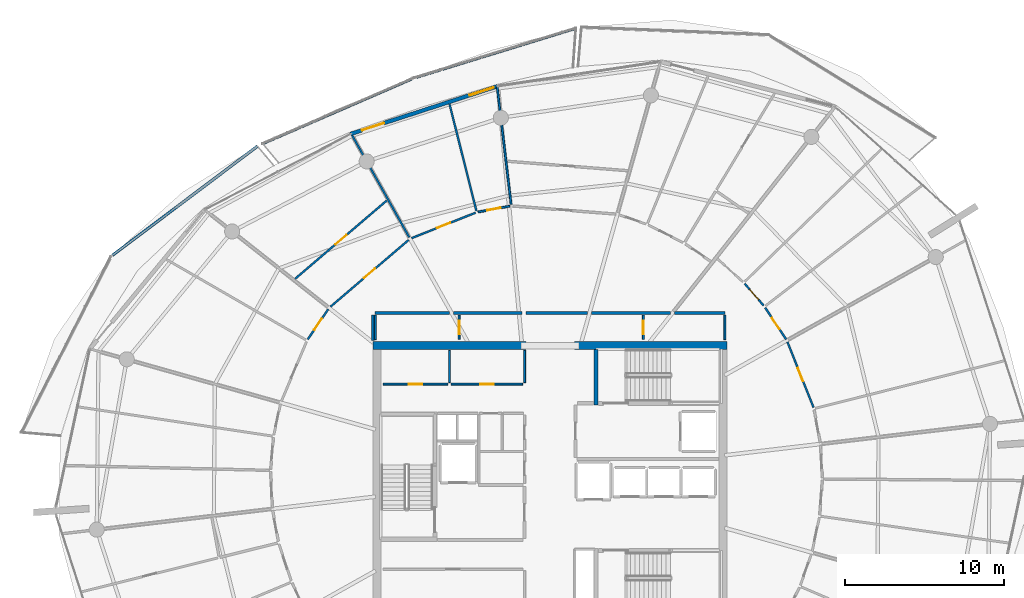
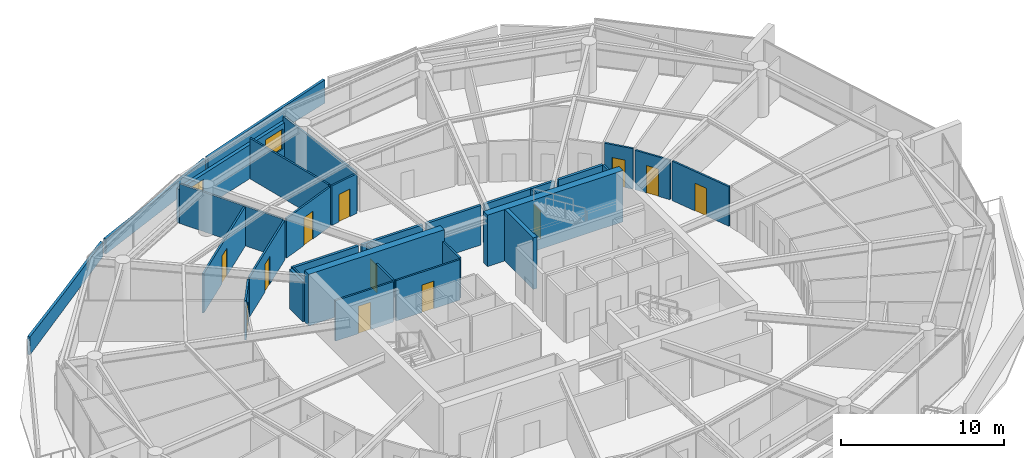
# One storey, part 21 of 29: 32 walls, 13 doors, 1 window, 14 openings.
"""IFC4 building model written with IfcOpenShell, lengths in metres."""

from ifc_helpers import new_model, si_unit, direction, frame, frame_2d, origin, place, context, subcontext, project, spatial, polyline, rectangle, outline, extrude, material, layer, layer_set, type_object, element, fill, save


model = new_model("IFC4")

# Units and contexts
model_context = context("Model", 3, precision=1e-05, world=origin(), true_north=direction((0.0, 1.0)))
body_context = subcontext(model_context, "Body", "Model", "MODEL_VIEW")
ifc_project = project(units=[si_unit("LENGTHUNIT", "METRE"), si_unit("AREAUNIT", "SQUARE_METRE"), si_unit("VOLUMEUNIT", "CUBIC_METRE"), si_unit("PLANEANGLEUNIT", "RADIAN"), si_unit("MASSUNIT", "GRAM", prefix="KILO")], contexts=[model_context])

# Site, building, storey
site_placement = place(None, origin())
site = spatial("IfcSite", under=ifc_project, at=site_placement, CompositionType="ELEMENT")
building_placement = place(site_placement, origin())
building = spatial("IfcBuilding", under=site, at=building_placement, Name="Kazma Halo Residences", CompositionType="ELEMENT")
storey_placement = place(building_placement, frame((0.0, 0.0, 286.75)))
storey = spatial("IfcBuildingStorey", under=building, at=storey_placement, Name="L72", CompositionType="ELEMENT", Elevation=286.75)

# Walls
ifc_material_1 = material(Name="White Concrete C50/60 Balustrade", Category="concrete")
ifc_layer_1 = layer(ifc_material_1, 0.179931640625)
ifc_layer_set_1 = layer_set([ifc_layer_1], Name="White Concrete C50/60 Balustrade")
wall_type_1 = type_object("IfcWallType", Name="WL-BAL-WAVE-180", PredefinedType="PARAPET", material=ifc_layer_set_1)
wall_1_placement = place(storey_placement, frame((50.046630859375, 70.205810546875, 0.0), z_axis=(0.0, 0.0, 1.0), x_axis=(-0.955884083791, -0.293744137565, 0.0)))
element("IfcWall", 1, at=wall_1_placement, inside=storey, type_object=wall_type_1, Name="L72 white wave balustrade wall NNW.1", PredefinedType="PARAPET", context=body_context, shape_type="SweptSolid", body=[
    extrude(outline(polyline([(0.0, 0.0), (10.543701171875, 0.0), (10.5439453125, 1.347900390625), (5.27197265625, 1.56201171875), (0.0, 1.7470703125), (0.0, 0.0)])), frame((0.0, 0.08984375, 0.0), z_axis=(0.0, -1.0, 0.0), x_axis=(1.0, 0.0, 0.0)), (0.0, 0.0, 1.0), 0.179931640625),
])
wall_2_placement = place(storey_placement, frame((39.7431640625, 67.025634765625, 0.0), z_axis=(0.0, 0.0, 1.0), x_axis=(-0.917372888721, -0.398028872119, 0.0)))
element("IfcWall", 2, at=wall_2_placement, inside=storey, type_object=wall_type_1, Name="L72 white wave balustrade wall NNW.2", PredefinedType="PARAPET", context=body_context, shape_type="SweptSolid", body=[
    extrude(outline(polyline([(0.0, 0.0), (10.257568359375, 0.0), (10.25732421875, 1.1201171875), (5.128662109375, 1.181884765625), (0.0, 1.347900390625), (0.0, 0.0)])), frame((0.0, 0.08984375, 0.0), z_axis=(0.0, -1.0, 0.0), x_axis=(1.0, 0.0, 0.0)), (0.0, 0.0, 1.0), 0.179931640625),
])
wall_3_placement = place(storey_placement, frame((30.027587890625, 62.784423828125, 0.0), z_axis=(0.0, 0.0, 1.0), x_axis=(-0.799146815098, -0.601135898046, 0.0)))
element("IfcWall", 3, at=wall_3_placement, inside=storey, type_object=wall_type_1, Name="L72 white wave balustrade wall NW.1", PredefinedType="PARAPET", context=body_context, shape_type="SweptSolid", body=[
    extrude(outline(polyline([(0.0, 0.0), (11.4111328125, 0.0), (11.4111328125, 1.347900390625), (5.70556640625, 1.181884765625), (0.0, 1.1201171875), (0.0, 0.0)])), frame((0.0, 0.08984375, 0.0), z_axis=(0.0, -1.0, 0.0), x_axis=(1.0, 0.0, 0.0)), (0.0, 0.0, 1.0), 0.179931640625),
])
ifc_material_2 = material(Name="Concrete C60/75", Category="concrete")
ifc_layer_2 = layer(ifc_material_2, 0.5)
ifc_layer_set_2 = layer_set([ifc_layer_2], Name="Concrete C60/75")
wall_type_2 = type_object("IfcWallType", Name="WL-CORE-500", PredefinedType="SHEAR", material=ifc_layer_set_2)
wall_4_placement = place(storey_placement, frame((37.300048828125, 50.25, 0.0), z_axis=(0.0, 0.0, 1.0), x_axis=(1.0, 0.0, 0.0)))
element("IfcWall", 4, at=wall_4_placement, inside=storey, type_object=wall_type_2, Name="L72 central core shear wall NW", PredefinedType="SHEAR", context=body_context, shape_type="SweptSolid", body=[
    extrude(rectangle(XDim=9.599853515625, YDim=0.5, at=frame_2d((4.7998046875, 0.0))), origin(), (0.0, 0.0, 1.0), 3.85009765625),
])
wall_5_placement = place(storey_placement, frame((49.949951171875, 50.25, 0.0), z_axis=(0.0, 0.0, 1.0), x_axis=(1.0, 0.0, 0.0)))
element("IfcWall", 5, at=wall_5_placement, inside=storey, type_object=wall_type_2, Name="L72 central core shear wall NE", PredefinedType="SHEAR", context=body_context, shape_type="SweptSolid", body=[
    extrude(rectangle(XDim=9.60009765625, YDim=0.5, at=frame_2d((4.800048828125, 0.0))), origin(), (0.0, 0.0, 1.0), 3.85009765625),
])
ifc_layer_3 = layer(ifc_material_2, 0.280029296875)
ifc_layer_set_3 = layer_set([ifc_layer_3], Name="Concrete C60/75")
wall_type_3 = type_object("IfcWallType", Name="WL-CORE-ST-280", PredefinedType="SHEAR", material=ifc_layer_set_3)
wall_6_placement = place(storey_placement, frame((51.31005859375, 46.5, 0.0), z_axis=(0.0, 0.0, 1.0), x_axis=(0.0, 1.0, 0.0)))
element("IfcWall", 6, at=wall_6_placement, inside=storey, type_object=wall_type_3, Name="L72 stairwell bearing wall ST02-W", PredefinedType="SHEAR", context=body_context, shape_type="SweptSolid", body=[
    extrude(rectangle(XDim=3.5, YDim=0.280029296875, at=frame_2d((1.75, 0.0))), origin(), (0.0, 0.0, 1.0), 3.85009765625),
])
ifc_material_3 = material(Name="Acoustic Twin-Stud Gypsum")
ifc_layer_4 = layer(ifc_material_3, 0.179931640625)
ifc_layer_set_4 = layer_set([ifc_layer_4], Name="Acoustic Twin-Stud Gypsum")
wall_type_4 = type_object("IfcWallType", Name="WL-DEM-180", PredefinedType="PARTITIONING", material=ifc_layer_set_4)
wall_7_placement = place(storey_placement, frame((56.0, 52.300048828125, 0.0), z_axis=(0.0, 0.0, 1.0), x_axis=(-1.0, 0.0, 0.0)))
element("IfcWall", 7, at=wall_7_placement, inside=storey, type_object=wall_type_4, Name="L72 Apartment 1 inner wall 1", PredefinedType="PARTITIONING", context=body_context, shape_type="SweptSolid", body=[
    extrude(rectangle(XDim=4.97509765625, YDim=0.179931640625, at=frame_2d((2.487548828125, 0.0))), origin(), (0.0, 0.0, 1.0), 2.95703125),
])
wall_8_placement = place(storey_placement, frame((50.784912109375, 52.300048828125, 0.0), z_axis=(0.0, 0.0, 1.0), x_axis=(-1.0, 0.0, 0.0)))
element("IfcWall", 8, at=wall_8_placement, inside=storey, type_object=wall_type_4, Name="L72 Apartment 1 inner wall 2", PredefinedType="PARTITIONING", context=body_context, shape_type="SweptSolid", body=[
    extrude(rectangle(XDim=3.884033203125, YDim=0.179931640625, at=frame_2d((1.94189453125, 0.0))), origin(), (0.0, 0.0, 1.0), 2.95703125),
])
wall_9_placement = place(storey_placement, frame((46.660888671875, 52.300048828125, 0.0), z_axis=(0.0, 0.0, 1.0), x_axis=(-1.0, 0.0, 0.0)))
element("IfcWall", 9, at=wall_9_placement, inside=storey, type_object=wall_type_4, Name="L72 Apartment 1 inner wall 3", PredefinedType="PARTITIONING", context=body_context, shape_type="SweptSolid", body=[
    extrude(rectangle(XDim=4.30908203125, YDim=0.179931640625, at=frame_2d((2.154541015625, 0.0))), origin(), (0.0, 0.0, 1.0), 2.95703125),
])
wall_10_placement = place(storey_placement, frame((42.11181640625, 52.300048828125, 0.0), z_axis=(0.0, 0.0, 1.0), x_axis=(-1.0, 0.0, 0.0)))
element("IfcWall", 10, at=wall_10_placement, inside=storey, type_object=wall_type_4, Name="L72 Apartment 1 inner wall 4", PredefinedType="PARTITIONING", context=body_context, shape_type="SweptSolid", body=[
    extrude(rectangle(XDim=4.69189453125, YDim=0.179931640625, at=frame_2d((2.345947265625, 0.0))), origin(), (0.0, 0.0, 1.0), 2.95703125),
])
wall_11_placement = place(storey_placement, frame((37.300048828125, 52.179931640625, 0.0), z_axis=(0.0, 0.0, 1.0), x_axis=(0.0, -1.0, 0.0)))
element("IfcWall", 11, at=wall_11_placement, inside=storey, type_object=wall_type_4, Name="L72 Apartment 1 inner wall 4", PredefinedType="PARTITIONING", context=body_context, shape_type="SweptSolid", body=[
    extrude(rectangle(XDim=1.624755859375, YDim=0.179931640625, at=frame_2d((0.8125, 0.0))), origin(), (0.0, 0.0, 1.0), 2.95703125),
])
wall_12_placement = place(storey_placement, frame((59.429931640625, 52.300048828125, 0.0), z_axis=(0.0, 0.0, 1.0), x_axis=(-1.0, 0.0, 0.0)))
element("IfcWall", 12, at=wall_12_placement, inside=storey, type_object=wall_type_4, Name="L72 Apartment 2 inner wall 0", PredefinedType="PARTITIONING", context=body_context, shape_type="SweptSolid", body=[
    extrude(rectangle(XDim=3.18994140625, YDim=0.179931640625, at=frame_2d((1.594970703125, 0.0))), origin(), (0.0, 0.0, 1.0), 2.95703125),
])

# Wall, openings, door, window
ifc_material_4 = material(Name="Insulated Pale-Metal Composite Wall")
ifc_layer_5 = layer(ifc_material_4, 0.239990234375)
ifc_layer_set_5 = layer_set([ifc_layer_5], Name="Insulated Pale-Metal Composite Wall")
wall_type_5 = type_object("IfcWallType", Name="WL-EXT-HOST-240", PredefinedType="SOLIDWALL", material=ifc_layer_set_5)
wall_13_placement = place(storey_placement, frame((45.14208984375, 66.563720703125, 0.0), z_axis=(0.0, 0.0, 1.0), x_axis=(-0.951055974609, -0.309018661507, 0.0)))
wall_13 = element("IfcWall", 13, at=wall_13_placement, inside=storey, type_object=wall_type_5, Name="L72 exterior terrace-access wall B04", PredefinedType="SOLIDWALL", context=body_context, shape_type="SweptSolid", body=[
    extrude(rectangle(XDim=9.745361328125, YDim=0.239990234375, at=frame_2d((4.87255859375, 0.0))), origin(), (0.0, 0.0, 1.0), 2.5400390625),
])
opening_1_placement = place(wall_13_placement, frame((7.525390625, 0.0, 0.0)))
opening_1 = element("IfcOpeningElement", 14, at=opening_1_placement, cuts=wall_13, Name="Opening DTR-1600", PredefinedType="OPENING", context=body_context, shape_type="SweptSolid", body=[
    extrude(rectangle(XDim=1.449951171875, YDim=2.14990234375, at=frame_2d((0.72509765625, 1.074951171875))), frame((0.0, 0.1298828125, 0.0), z_axis=(0.0, -1.0, 0.0), x_axis=(1.0, 0.0, 0.0)), (0.0, 0.0, 1.0), 0.260009765625),
])
opening_2_placement = place(wall_13_placement, frame((0.280029296875, 0.0, 0.64990234375)))
opening_2 = element("IfcOpeningElement", 15, at=opening_2_placement, cuts=wall_13, Name="Opening W-1800", PredefinedType="OPENING", context=body_context, shape_type="SweptSolid", body=[
    extrude(rectangle(XDim=1.60009765625, YDim=1.5, at=frame_2d((0.800048828125, 0.75))), frame((0.0, 0.1298828125, 0.0), z_axis=(0.0, -1.0, 0.0), x_axis=(1.0, 0.0, 0.0)), (0.0, 0.0, 1.0), 0.260009765625),
])
ifc_material_5 = material(Name="Aluminium AW-6063 T6 Double-Glazed Terrace Door", Category="aluminium")
door_type_1 = type_object("IfcDoorType", Name="DR-EXT-TERR-1600", OperationType="NOTDEFINED", PredefinedType="DOOR", material=ifc_material_5)
door_1_placement = place(opening_1_placement, origin())
door_1 = element("IfcDoor", 16, at=door_1_placement, inside=storey, type_object=door_type_1, Name="L72 B04 balcony terrace door", OperationType="DOUBLE_DOOR_SLIDING", OverallHeight=2.14990234375, OverallWidth=1.449951171875, PredefinedType="DOOR", context=body_context, shape_type="SweptSolid", body=[
    extrude(rectangle(XDim=1.449951171875, YDim=2.14990234375, at=frame_2d((0.72509765625, 1.074951171875))), frame((0.0, 0.02490234375, 0.0), z_axis=(0.0, -1.0, 0.0), x_axis=(1.0, 0.0, 0.0)), (0.0, 0.0, 1.0), 0.050048828125),
])
fill(opening_1, door_1)
ifc_material_6 = material(Name="Clear Triple-Silver Low-E Glass in Aluminium AW-6063 T6 Frame", Category="aluminium")
window_type = type_object("IfcWindowType", Name="WIN-RES-1800", PartitioningType="DOUBLE_PANEL_VERTICAL", PredefinedType="WINDOW", material=ifc_material_6)
window_placement = place(opening_2_placement, origin())
window = element("IfcWindow", 17, at=window_placement, inside=storey, type_object=window_type, Name="L72 B04 apartment window", OverallHeight=1.5, OverallWidth=1.60009765625, PartitioningType="SINGLE_PANEL", PredefinedType="WINDOW", context=body_context, shape_type="SweptSolid", body=[
    extrude(rectangle(XDim=1.60009765625, YDim=1.5, at=frame_2d((0.800048828125, 0.75))), frame((0.0, 0.030029296875, 0.0), z_axis=(0.0, -1.0, 0.0), x_axis=(1.0, 0.0, 0.0)), (0.0, 0.0, 1.0), 0.06005859375),
])
fill(opening_2, window)

# Walls
ifc_material_7 = material(Name="Gypsum Plasterboard Partition")
ifc_layer_6 = layer(ifc_material_7, 0.125)
ifc_layer_set_6 = layer_set([ifc_layer_6], Name="Gypsum Plasterboard Partition")
wall_type_6 = type_object("IfcWallType", Name="WL-PART-125", PredefinedType="PARTITIONING", material=ifc_layer_set_6)
for number, where, z_axis, x_axis, name in (
    (18, (46.820068359375, 47.919921875, 0.0), (0.0, 0.0, 1.0), (0.0, 1.0, 0.0), "L72 reclaimed north east wall"),
    (19, (42.10009765625, 47.919921875, 0.0), (0.0, 0.0, 1.0), (0.0, 1.0, 0.0), "L72 reclaimed north divider wall"),
):
    element("IfcWall", number, at=place(storey_placement, frame(where, z_axis=z_axis, x_axis=x_axis)), inside=storey, type_object=wall_type_6, Name=name, PredefinedType="PARTITIONING", context=body_context, shape_type="SweptSolid", body=[
        extrude(rectangle(XDim=2.030029296875, YDim=0.125, at=frame_2d((1.01513671875, 0.0))), origin(), (0.0, 0.0, 1.0), 3.030029296875),
    ])

# Wall, opening, door
wall_14_placement = place(storey_placement, frame((37.919921875, 47.820068359375, 0.0), z_axis=(0.0, 0.0, 1.0), x_axis=(1.0, 0.0, 0.0)))
wall_14 = element("IfcWall", 20, at=wall_14_placement, inside=storey, type_object=wall_type_6, Name="L72 reclaimed north W front wall", PredefinedType="PARTITIONING", context=body_context, shape_type="SweptSolid", body=[
    extrude(rectangle(XDim=4.080078125, YDim=0.125, at=frame_2d((2.0400390625, 0.0))), origin(), (0.0, 0.0, 1.0), 3.030029296875),
])
opening_3_placement = place(wall_14_placement, frame((1.614990234375, 0.0, 0.0)))
opening_3 = element("IfcOpeningElement", 21, at=opening_3_placement, cuts=wall_14, Name="Opening DS-850", PredefinedType="OPENING", context=body_context, shape_type="SweptSolid", body=[
    extrude(rectangle(XDim=0.85009765625, YDim=2.06005859375, at=frame_2d((0.425048828125, 1.030029296875))), frame((0.0, 0.072509765625, 0.0), z_axis=(0.0, -1.0, 0.0), x_axis=(1.0, 0.0, 0.0)), (0.0, 0.0, 1.0), 0.14501953125),
])
ifc_material_8 = material(Name="Painted Steel Access Leaf", Category="steel")
door_type_2 = type_object("IfcDoorType", Name="DR-SVC-850", OperationType="NOTDEFINED", PredefinedType="DOOR", material=ifc_material_8)
door_2_placement = place(opening_3_placement, origin())
door_2 = element("IfcDoor", 22, at=door_2_placement, inside=storey, type_object=door_type_2, Name="L72 reclaimed north W door", OperationType="SINGLE_SWING_RIGHT", OverallHeight=2.06005859375, OverallWidth=0.85009765625, PredefinedType="DOOR", context=body_context, shape_type="SweptSolid", body=[
    extrude(rectangle(XDim=0.85009765625, YDim=2.06005859375, at=frame_2d((0.425048828125, 1.030029296875))), frame((0.0, 0.02490234375, 0.0), z_axis=(0.0, -1.0, 0.0), x_axis=(1.0, 0.0, 0.0)), (0.0, 0.0, 1.0), 0.050048828125),
])
fill(opening_3, door_2)

wall_15_placement = place(storey_placement, frame((42.199951171875, 47.820068359375, 0.0), z_axis=(0.0, 0.0, 1.0), x_axis=(1.0, 0.0, 0.0)))
wall_15 = element("IfcWall", 23, at=wall_15_placement, inside=storey, type_object=wall_type_6, Name="L72 reclaimed north E front wall", PredefinedType="PARTITIONING", context=body_context, shape_type="SweptSolid", body=[
    extrude(rectangle(XDim=4.5, YDim=0.125, at=frame_2d((2.25, 0.0))), origin(), (0.0, 0.0, 1.0), 3.030029296875),
])
opening_4_placement = place(wall_15_placement, frame((1.824951171875, 0.0, 0.0)))
opening_4 = element("IfcOpeningElement", 24, at=opening_4_placement, cuts=wall_15, Name="Opening DS-850", PredefinedType="OPENING", context=body_context, shape_type="SweptSolid", body=[
    extrude(rectangle(XDim=0.85009765625, YDim=2.06005859375, at=frame_2d((0.425048828125, 1.030029296875))), frame((0.0, 0.072509765625, 0.0), z_axis=(0.0, -1.0, 0.0), x_axis=(1.0, 0.0, 0.0)), (0.0, 0.0, 1.0), 0.14501953125),
])
door_3_placement = place(opening_4_placement, origin())
door_3 = element("IfcDoor", 25, at=door_3_placement, inside=storey, type_object=door_type_2, Name="L72 reclaimed north E door", OperationType="SINGLE_SWING_LEFT", OverallHeight=2.06005859375, OverallWidth=0.85009765625, PredefinedType="DOOR", context=body_context, shape_type="SweptSolid", body=[
    extrude(rectangle(XDim=0.85009765625, YDim=2.06005859375, at=frame_2d((0.425048828125, 1.030029296875))), frame((0.0, 0.02490234375, 0.0), z_axis=(0.0, -1.0, 0.0), x_axis=(1.0, 0.0, 0.0)), (0.0, 0.0, 1.0), 0.050048828125),
])
fill(opening_4, door_3)

# Walls
for number, where, z_axis, x_axis, name in (
    (26, (37.43994140625, 50.6201171875, 0.0), (0.0, 0.0, 1.0), (0.0, 1.0, 0.0), "L72 west linen end wall"),
    (27, (59.409912109375, 50.6201171875, 0.0), (0.0, 0.0, 1.0), (0.0, 1.0, 0.0), "L72 east cupboard end wall"),
):
    element("IfcWall", number, at=place(storey_placement, frame(where, z_axis=z_axis, x_axis=x_axis)), inside=storey, type_object=wall_type_6, Name=name, PredefinedType="PARTITIONING", context=body_context, shape_type="SweptSolid", body=[
        extrude(rectangle(XDim=1.539794921875, YDim=0.125, at=frame_2d((0.77001953125, 0.0))), origin(), (0.0, 0.0, 1.0), 3.030029296875),
    ])

# Wall, opening, door
wall_16_placement = place(storey_placement, frame((42.7099609375, 50.639892578125, 0.0), z_axis=(0.0, 0.0, 1.0), x_axis=(0.0, 1.0, 0.0)))
wall_16 = element("IfcWall", 28, at=wall_16_placement, inside=storey, type_object=wall_type_6, Name="L72 floor linen store door wall", PredefinedType="PARTITIONING", context=body_context, shape_type="SweptSolid", body=[
    extrude(rectangle(XDim=1.52001953125, YDim=0.125, at=frame_2d((0.760009765625, 0.0))), origin(), (0.0, 0.0, 1.0), 2.95703125),
])
opening_5_placement = place(wall_16_placement, frame((0.3349609375, 0.0, 0.0)))
opening_5 = element("IfcOpeningElement", 29, at=opening_5_placement, cuts=wall_16, Name="Opening DS-850", PredefinedType="OPENING", context=body_context, shape_type="SweptSolid", body=[
    extrude(rectangle(XDim=0.85009765625, YDim=2.06005859375, at=frame_2d((0.425048828125, 1.030029296875))), frame((0.0, 0.072509765625, 0.0), z_axis=(0.0, -1.0, 0.0), x_axis=(1.0, 0.0, 0.0)), (0.0, 0.0, 1.0), 0.14501953125),
])
door_4_placement = place(opening_5_placement, origin())
door_4 = element("IfcDoor", 30, at=door_4_placement, inside=storey, type_object=door_type_2, Name="L72 floor linen store door", OperationType="SINGLE_SWING_LEFT", OverallHeight=2.06005859375, OverallWidth=0.85009765625, PredefinedType="DOOR", context=body_context, shape_type="SweptSolid", body=[
    extrude(rectangle(XDim=0.85009765625, YDim=2.06005859375, at=frame_2d((0.425048828125, 1.030029296875))), frame((0.0, 0.02490234375, 0.0), z_axis=(0.0, -1.0, 0.0), x_axis=(1.0, 0.0, 0.0)), (0.0, 0.0, 1.0), 0.050048828125),
])
fill(opening_5, door_4)

wall_17_placement = place(storey_placement, frame((54.2900390625, 50.639892578125, 0.0), z_axis=(0.0, 0.0, 1.0), x_axis=(0.0, 1.0, 0.0)))
wall_17 = element("IfcWall", 31, at=wall_17_placement, inside=storey, type_object=wall_type_6, Name="L72 floor metering cupboard door wall", PredefinedType="PARTITIONING", context=body_context, shape_type="SweptSolid", body=[
    extrude(rectangle(XDim=1.52001953125, YDim=0.125, at=frame_2d((0.760009765625, 0.0))), origin(), (0.0, 0.0, 1.0), 3.030029296875),
])
opening_6_placement = place(wall_17_placement, frame((0.3349609375, 0.0, 0.0)))
opening_6 = element("IfcOpeningElement", 32, at=opening_6_placement, cuts=wall_17, Name="Opening DS-850", PredefinedType="OPENING", context=body_context, shape_type="SweptSolid", body=[
    extrude(rectangle(XDim=0.85009765625, YDim=2.06005859375, at=frame_2d((0.425048828125, 1.030029296875))), frame((0.0, 0.072509765625, 0.0), z_axis=(0.0, -1.0, 0.0), x_axis=(1.0, 0.0, 0.0)), (0.0, 0.0, 1.0), 0.14501953125),
])
door_5_placement = place(opening_6_placement, origin())
door_5 = element("IfcDoor", 33, at=door_5_placement, inside=storey, type_object=door_type_2, Name="L72 floor cupboard door", OperationType="SINGLE_SWING_RIGHT", OverallHeight=2.06005859375, OverallWidth=0.85009765625, PredefinedType="DOOR", context=body_context, shape_type="SweptSolid", body=[
    extrude(rectangle(XDim=0.85009765625, YDim=2.06005859375, at=frame_2d((0.425048828125, 1.030029296875))), frame((0.0, 0.02490234375, 0.0), z_axis=(0.0, -1.0, 0.0), x_axis=(1.0, 0.0, 0.0)), (0.0, 0.0, 1.0), 0.050048828125),
])
fill(opening_6, door_5)

# Walls
wall_18_placement = place(storey_placement, frame((45.97216796875, 59.13232421875, 0.0), z_axis=(0.0, 0.0, 1.0), x_axis=(-0.117532091281, 0.993069084968, 0.0)))
element("IfcWall", 34, at=wall_18_placement, inside=storey, type_object=wall_type_6, Name="L72 Apartment 1 radial partition 3", PredefinedType="PARTITIONING", context=body_context, shape_type="SweptSolid", body=[
    extrude(rectangle(XDim=7.442626953125, YDim=0.125, at=frame_2d((3.72119140625, 0.0))), origin(), (0.0, 0.0, 1.0), 2.95703125),
])
wall_19_placement = place(storey_placement, frame((43.790771484375, 58.720458984375, 0.0), z_axis=(0.0, 0.0, 1.0), x_axis=(-0.244109618429, 0.969747644591, 0.0)))
element("IfcWall", 35, at=wall_19_placement, inside=storey, type_object=wall_type_6, Name="L72 Apartment 1 mid-bay wall 3", PredefinedType="PARTITIONING", context=body_context, shape_type="SweptSolid", body=[
    extrude(rectangle(XDim=6.932861328125, YDim=0.125, at=frame_2d((3.46630859375, 0.0))), origin(), (0.0, 0.0, 1.0), 3.030029296875),
])

# Wall, opening, door
wall_20_placement = place(storey_placement, frame((45.8857421875, 59.014892578125, 0.0), z_axis=(0.0, 0.0, 1.0), x_axis=(-0.983466734408, -0.181088879597, 0.0)))
wall_20 = element("IfcWall", 36, at=wall_20_placement, inside=storey, type_object=wall_type_6, Name="L72 Apartment 1 East Wine Pantry Store hall wall", PredefinedType="PARTITIONING", context=body_context, shape_type="SweptSolid", body=[
    extrude(rectangle(XDim=2.027587890625, YDim=0.125, at=frame_2d((1.013671875, 0.0))), origin(), (0.0, 0.0, 1.0), 2.95703125),
])
opening_7_placement = place(wall_20_placement, frame((0.5888671875, 0.0, 0.0)))
opening_7 = element("IfcOpeningElement", 37, at=opening_7_placement, cuts=wall_20, Name="Opening DB-900", PredefinedType="OPENING", context=body_context, shape_type="SweptSolid", body=[
    extrude(rectangle(XDim=0.85009765625, YDim=2.06005859375, at=frame_2d((0.425048828125, 1.030029296875))), frame((0.0, 0.072509765625, 0.0), z_axis=(0.0, -1.0, 0.0), x_axis=(1.0, 0.0, 0.0)), (0.0, 0.0, 1.0), 0.14501953125),
])
ifc_material_9 = material(Name="Moisture-Sealed Timber Leaf", Category="wood")
door_type_3 = type_object("IfcDoorType", Name="DR-BTH-900", OperationType="NOTDEFINED", PredefinedType="DOOR", material=ifc_material_9)
door_6_placement = place(opening_7_placement, origin())
door_6 = element("IfcDoor", 38, at=door_6_placement, inside=storey, type_object=door_type_3, Name="L72 Apartment 1 East Wine Pantry Store door", OperationType="SINGLE_SWING_RIGHT", OverallHeight=2.06005859375, OverallWidth=0.85009765625, PredefinedType="DOOR", context=body_context, shape_type="SweptSolid", body=[
    extrude(rectangle(XDim=0.85009765625, YDim=2.06005859375, at=frame_2d((0.425048828125, 1.030029296875))), frame((0.0, 0.02490234375, 0.0), z_axis=(0.0, -1.0, 0.0), x_axis=(1.0, 0.0, 0.0)), (0.0, 0.0, 1.0), 0.050048828125),
])
fill(opening_7, door_6)

wall_21_placement = place(storey_placement, frame((43.738525390625, 58.603515625, 0.0), z_axis=(0.0, 0.0, 1.0), x_axis=(-0.929209277864, -0.369553944549, 0.0)))
wall_21 = element("IfcWall", 39, at=wall_21_placement, inside=storey, type_object=wall_type_6, Name="L72 Apartment 1 West Formal Dining Room hall wall", PredefinedType="PARTITIONING", context=body_context, shape_type="SweptSolid", body=[
    extrude(rectangle(XDim=4.3330078125, YDim=0.125, at=frame_2d((2.16650390625, 0.0))), origin(), (0.0, 0.0, 1.0), 2.95703125),
])
opening_8_placement = place(wall_21_placement, frame((1.716552734375, 0.0, 0.0)))
opening_8 = element("IfcOpeningElement", 40, at=opening_8_placement, cuts=wall_21, Name="Opening DI-950", PredefinedType="OPENING", context=body_context, shape_type="SweptSolid", body=[
    extrude(rectangle(XDim=0.89990234375, YDim=2.080078125, at=frame_2d((0.449951171875, 1.0400390625))), frame((0.0, 0.072509765625, 0.0), z_axis=(0.0, -1.0, 0.0), x_axis=(1.0, 0.0, 0.0)), (0.0, 0.0, 1.0), 0.14501953125),
])
ifc_material_10 = material(Name="Timber Veneer Flush Leaf", Category="wood")
door_type_4 = type_object("IfcDoorType", Name="DR-INT-950", OperationType="NOTDEFINED", PredefinedType="DOOR", material=ifc_material_10)
door_7_placement = place(opening_8_placement, origin())
door_7 = element("IfcDoor", 41, at=door_7_placement, inside=storey, type_object=door_type_4, Name="L72 Apartment 1 West Formal Dining Room door", OperationType="SINGLE_SWING_LEFT", OverallHeight=2.080078125, OverallWidth=0.89990234375, PredefinedType="DOOR", context=body_context, shape_type="SweptSolid", body=[
    extrude(rectangle(XDim=0.89990234375, YDim=2.080078125, at=frame_2d((0.449951171875, 1.0400390625))), frame((0.0, 0.02490234375, 0.0), z_axis=(0.0, -1.0, 0.0), x_axis=(1.0, 0.0, 0.0)), (0.0, 0.0, 1.0), 0.050048828125),
])
fill(opening_8, door_7)

# Wall
wall_22_placement = place(storey_placement, frame((39.5703125, 57.05224609375, 0.0), z_axis=(0.0, 0.0, 1.0), x_axis=(-0.488629692651, 0.872491274146, 0.0)))
element("IfcWall", 42, at=wall_22_placement, inside=storey, type_object=wall_type_6, Name="L72 Apartment 1 radial partition 4", PredefinedType="PARTITIONING", context=body_context, shape_type="SweptSolid", body=[
    extrude(rectangle(XDim=7.3427734375, YDim=0.125, at=frame_2d((3.67138671875, 0.0))), origin(), (0.0, 0.0, 1.0), 2.95703125),
])

# Wall, opening, door
wall_23_placement = place(storey_placement, frame((39.53564453125, 56.893798828125, 0.0), z_axis=(0.0, 0.0, 1.0), x_axis=(-0.760410931944, -0.649442233443, 0.0)))
wall_23 = element("IfcWall", 43, at=wall_23_placement, inside=storey, type_object=wall_type_6, Name="L72 Apartment 1 North Study hall wall", PredefinedType="PARTITIONING", context=body_context, shape_type="SweptSolid", body=[
    extrude(rectangle(XDim=6.47265625, YDim=0.125, at=frame_2d((3.236328125, 0.0))), origin(), (0.0, 0.0, 1.0), 2.95703125),
])
opening_9_placement = place(wall_23_placement, frame((2.786376953125, 0.0, 0.0)))
opening_9 = element("IfcOpeningElement", 44, at=opening_9_placement, cuts=wall_23, Name="Opening DI-950", PredefinedType="OPENING", context=body_context, shape_type="SweptSolid", body=[
    extrude(rectangle(XDim=0.89990234375, YDim=2.080078125, at=frame_2d((0.449951171875, 1.0400390625))), frame((0.0, 0.072509765625, 0.0), z_axis=(0.0, -1.0, 0.0), x_axis=(1.0, 0.0, 0.0)), (0.0, 0.0, 1.0), 0.14501953125),
])
door_8_placement = place(opening_9_placement, origin())
door_8 = element("IfcDoor", 45, at=door_8_placement, inside=storey, type_object=door_type_4, Name="L72 Apartment 1 North Study door", OperationType="SINGLE_SWING_LEFT", OverallHeight=2.080078125, OverallWidth=0.89990234375, PredefinedType="DOOR", context=body_context, shape_type="SweptSolid", body=[
    extrude(rectangle(XDim=0.89990234375, YDim=2.080078125, at=frame_2d((0.449951171875, 1.0400390625))), frame((0.0, 0.02490234375, 0.0), z_axis=(0.0, -1.0, 0.0), x_axis=(1.0, 0.0, 0.0)), (0.0, 0.0, 1.0), 0.050048828125),
])
fill(opening_9, door_8)

wall_24_placement = place(storey_placement, frame((38.1513671875, 59.365478515625, 0.0), z_axis=(0.0, 0.0, 1.0), x_axis=(-0.760419750343, -0.649431908123, 0.0)))
wall_24 = element("IfcWall", 46, at=wall_24_placement, inside=storey, type_object=wall_type_6, Name="L72 Apartment 1 South Master Bedroom divider wall", PredefinedType="PARTITIONING", context=body_context, shape_type="SweptSolid", body=[
    extrude(rectangle(XDim=7.577880859375, YDim=0.125, at=frame_2d((3.7890625, 0.0))), origin(), (0.0, 0.0, 1.0), 2.95703125),
])
opening_10_placement = place(wall_24_placement, frame((3.3388671875, 0.0, 0.0)))
opening_10 = element("IfcOpeningElement", 47, at=opening_10_placement, cuts=wall_24, Name="Opening DI-950", PredefinedType="OPENING", context=body_context, shape_type="SweptSolid", body=[
    extrude(rectangle(XDim=0.89990234375, YDim=2.080078125, at=frame_2d((0.449951171875, 1.0400390625))), frame((0.0, 0.072509765625, 0.0), z_axis=(0.0, -1.0, 0.0), x_axis=(1.0, 0.0, 0.0)), (0.0, 0.0, 1.0), 0.14501953125),
])
door_9_placement = place(opening_10_placement, origin())
door_9 = element("IfcDoor", 48, at=door_9_placement, inside=storey, type_object=door_type_4, Name="L72 Apartment 1 South Master Bedroom door", OperationType="SINGLE_SWING_RIGHT", OverallHeight=2.080078125, OverallWidth=0.89990234375, PredefinedType="DOOR", context=body_context, shape_type="SweptSolid", body=[
    extrude(rectangle(XDim=0.89990234375, YDim=2.080078125, at=frame_2d((0.449951171875, 1.0400390625))), frame((0.0, 0.02490234375, 0.0), z_axis=(0.0, -1.0, 0.0), x_axis=(1.0, 0.0, 0.0)), (0.0, 0.0, 1.0), 0.050048828125),
])
fill(opening_10, door_9)

wall_25_placement = place(storey_placement, frame((34.47412109375, 52.535888671875, 0.0), z_axis=(0.0, 0.0, 1.0), x_axis=(-0.560794078194, -0.827955313929, 0.0)))
wall_25 = element("IfcWall", 49, at=wall_25_placement, inside=storey, type_object=wall_type_6, Name="L72 Apartment 1 Inner Wine Pantry Store hall wall", PredefinedType="PARTITIONING", context=body_context, shape_type="SweptSolid", body=[
    extrude(rectangle(XDim=2.29638671875, YDim=0.125, at=frame_2d((1.148193359375, 0.0))), origin(), (0.0, 0.0, 1.0), 2.95703125),
])
opening_11_placement = place(wall_25_placement, frame((0.723388671875, 0.0, 0.0)))
opening_11 = element("IfcOpeningElement", 50, at=opening_11_placement, cuts=wall_25, Name="Opening DB-900", PredefinedType="OPENING", context=body_context, shape_type="SweptSolid", body=[
    extrude(rectangle(XDim=0.85009765625, YDim=2.06005859375, at=frame_2d((0.425048828125, 1.030029296875))), frame((0.0, 0.072509765625, 0.0), z_axis=(0.0, -1.0, 0.0), x_axis=(1.0, 0.0, 0.0)), (0.0, 0.0, 1.0), 0.14501953125),
])
door_10_placement = place(opening_11_placement, origin())
door_10 = element("IfcDoor", 51, at=door_10_placement, inside=storey, type_object=door_type_3, Name="L72 Apartment 1 Inner Wine Pantry Store door", OperationType="SINGLE_SWING_RIGHT", OverallHeight=2.06005859375, OverallWidth=0.85009765625, PredefinedType="DOOR", context=body_context, shape_type="SweptSolid", body=[
    extrude(rectangle(XDim=0.85009765625, YDim=2.06005859375, at=frame_2d((0.425048828125, 1.030029296875))), frame((0.0, 0.02490234375, 0.0), z_axis=(0.0, -1.0, 0.0), x_axis=(1.0, 0.0, 0.0)), (0.0, 0.0, 1.0), 0.050048828125),
])
fill(opening_11, door_10)

wall_26_placement = place(storey_placement, frame((64.985595703125, 46.357666015625, 0.0), z_axis=(0.0, 0.0, 1.0), x_axis=(-0.369596956752, 0.929192170414, 0.0)))
wall_26 = element("IfcWall", 52, at=wall_26_placement, inside=storey, type_object=wall_type_6, Name="L72 Apartment 2 East Formal Dining Room hall wall", PredefinedType="PARTITIONING", context=body_context, shape_type="SweptSolid", body=[
    extrude(rectangle(XDim=4.43701171875, YDim=0.125, at=frame_2d((2.218505859375, 0.0))), origin(), (0.0, 0.0, 1.0), 2.95703125),
])
opening_12_placement = place(wall_26_placement, frame((1.768310546875, 0.0, 0.0)))
opening_12 = element("IfcOpeningElement", 53, at=opening_12_placement, cuts=wall_26, Name="Opening DI-950", PredefinedType="OPENING", context=body_context, shape_type="SweptSolid", body=[
    extrude(rectangle(XDim=0.89990234375, YDim=2.080078125, at=frame_2d((0.449951171875, 1.0400390625))), frame((0.0, 0.072509765625, 0.0), z_axis=(0.0, -1.0, 0.0), x_axis=(1.0, 0.0, 0.0)), (0.0, 0.0, 1.0), 0.14501953125),
])
door_11_placement = place(opening_12_placement, origin())
door_11 = element("IfcDoor", 54, at=door_11_placement, inside=storey, type_object=door_type_4, Name="L72 Apartment 2 East Formal Dining Room door", OperationType="SINGLE_SWING_LEFT", OverallHeight=2.080078125, OverallWidth=0.89990234375, PredefinedType="DOOR", context=body_context, shape_type="SweptSolid", body=[
    extrude(rectangle(XDim=0.89990234375, YDim=2.080078125, at=frame_2d((0.449951171875, 1.0400390625))), frame((0.0, 0.02490234375, 0.0), z_axis=(0.0, -1.0, 0.0), x_axis=(1.0, 0.0, 0.0)), (0.0, 0.0, 1.0), 0.050048828125),
])
fill(opening_12, door_11)

wall_27_placement = place(storey_placement, frame((63.2646484375, 50.64013671875, 0.0), z_axis=(0.0, 0.0, 1.0), x_axis=(-0.550634170063, 0.834746674602, 0.0)))
wall_27 = element("IfcWall", 55, at=wall_27_placement, inside=storey, type_object=wall_type_6, Name="L72 Apartment 2 South Master Bedroom hall wall", PredefinedType="PARTITIONING", context=body_context, shape_type="SweptSolid", body=[
    extrude(rectangle(XDim=2.38720703125, YDim=0.125, at=frame_2d((1.193603515625, 0.0))), origin(), (0.0, 0.0, 1.0), 2.95703125),
])
opening_13_placement = place(wall_27_placement, frame((0.7685546875, 0.0, 0.0)))
opening_13 = element("IfcOpeningElement", 56, at=opening_13_placement, cuts=wall_27, Name="Opening DB-900", PredefinedType="OPENING", context=body_context, shape_type="SweptSolid", body=[
    extrude(rectangle(XDim=0.85009765625, YDim=2.06005859375, at=frame_2d((0.425048828125, 1.030029296875))), frame((0.0, 0.072509765625, 0.0), z_axis=(0.0, -1.0, 0.0), x_axis=(1.0, 0.0, 0.0)), (0.0, 0.0, 1.0), 0.14501953125),
])
door_12_placement = place(opening_13_placement, origin())
door_12 = element("IfcDoor", 57, at=door_12_placement, inside=storey, type_object=door_type_3, Name="L72 Apartment 2 South Master Bedroom door", OperationType="SINGLE_SWING_RIGHT", OverallHeight=2.06005859375, OverallWidth=0.85009765625, PredefinedType="DOOR", context=body_context, shape_type="SweptSolid", body=[
    extrude(rectangle(XDim=0.85009765625, YDim=2.06005859375, at=frame_2d((0.425048828125, 1.030029296875))), frame((0.0, 0.02490234375, 0.0), z_axis=(0.0, -1.0, 0.0), x_axis=(1.0, 0.0, 0.0)), (0.0, 0.0, 1.0), 0.050048828125),
])
fill(opening_13, door_12)

wall_28_placement = place(storey_placement, frame((61.85400390625, 52.760009765625, 0.0), z_axis=(0.0, 0.0, 1.0), x_axis=(-0.653948493608, 0.756539072162, 0.0)))
wall_28 = element("IfcWall", 58, at=wall_28_placement, inside=storey, type_object=wall_type_6, Name="L72 Apartment 2 Inner Study hall wall", PredefinedType="PARTITIONING", context=body_context, shape_type="SweptSolid", body=[
    extrude(rectangle(XDim=1.837158203125, YDim=0.125, at=frame_2d((0.91845703125, 0.0))), origin(), (0.0, 0.0, 1.0), 3.030029296875),
])
opening_14_placement = place(wall_28_placement, frame((0.49365234375, 0.0, 0.0)))
opening_14 = element("IfcOpeningElement", 59, at=opening_14_placement, cuts=wall_28, Name="Opening DB-900", PredefinedType="OPENING", context=body_context, shape_type="SweptSolid", body=[
    extrude(rectangle(XDim=0.85009765625, YDim=2.06005859375, at=frame_2d((0.425048828125, 1.030029296875))), frame((0.0, 0.072509765625, 0.0), z_axis=(0.0, -1.0, 0.0), x_axis=(1.0, 0.0, 0.0)), (0.0, 0.0, 1.0), 0.14501953125),
])
door_13_placement = place(opening_14_placement, origin())
door_13 = element("IfcDoor", 60, at=door_13_placement, inside=storey, type_object=door_type_3, Name="L72 Apartment 2 Inner Study door", OperationType="SINGLE_SWING_LEFT", OverallHeight=2.06005859375, OverallWidth=0.85009765625, PredefinedType="DOOR", context=body_context, shape_type="SweptSolid", body=[
    extrude(rectangle(XDim=0.85009765625, YDim=2.06005859375, at=frame_2d((0.425048828125, 1.030029296875))), frame((0.0, 0.02490234375, 0.0), z_axis=(0.0, -1.0, 0.0), x_axis=(1.0, 0.0, 0.0)), (0.0, 0.0, 1.0), 0.050048828125),
])
fill(opening_14, door_13)

save(model, "model.ifc")
